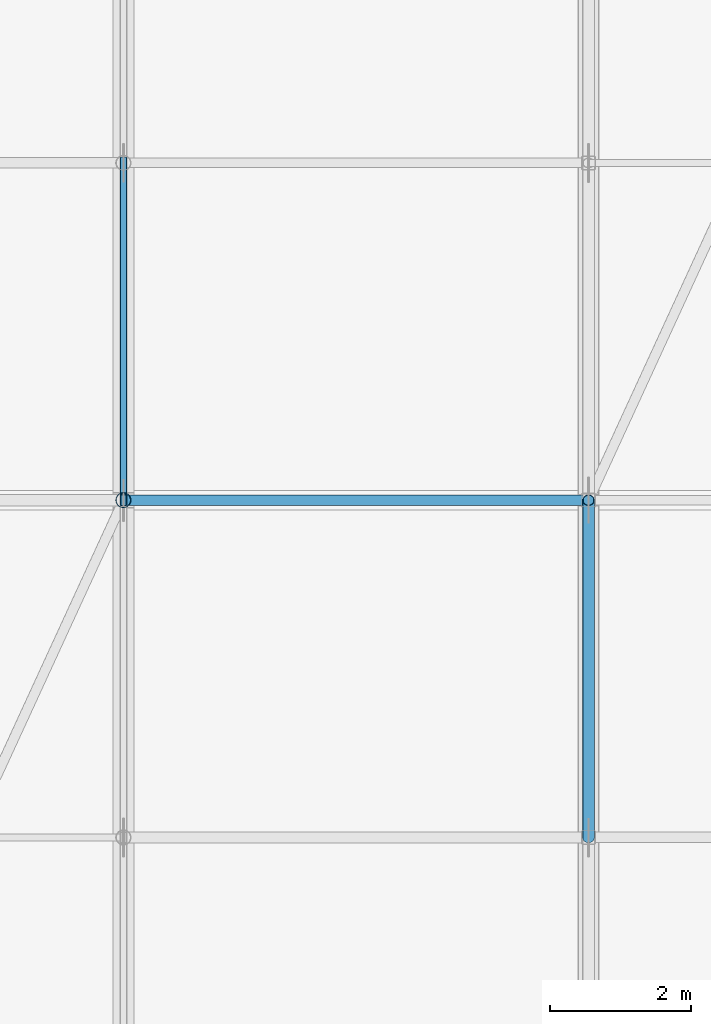
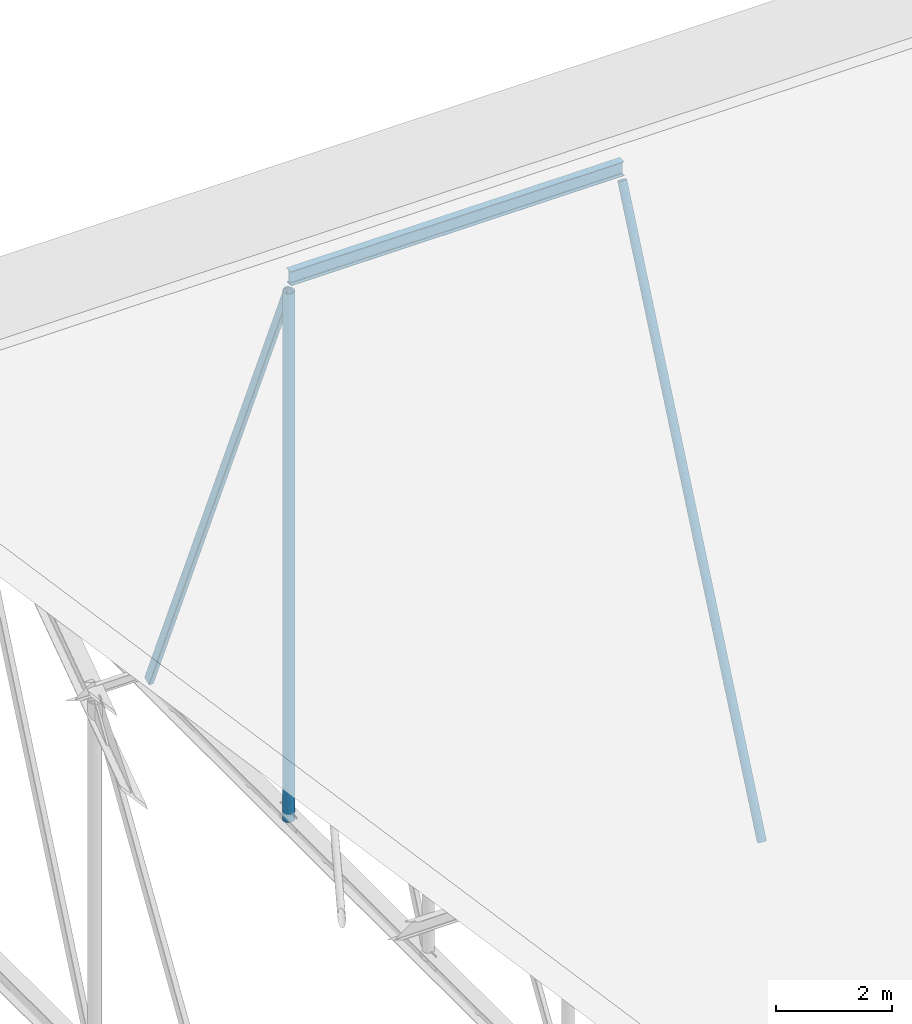
# One storey, part 75 of 134: 4 members.
"""IFC4 building model written with IfcOpenShell, lengths in metres."""

from ifc_helpers import new_model, si_unit, direction, frame, origin, origin_2d, place, context, subcontext, project, spatial, hollow_rectangle, hollow_circle, i_section, extrude, material, material_profile, profile_set, type_object, element, save


model = new_model("IFC4")

# Units and contexts
model_context = context("Model", 3, precision=1e-05, world=origin(), true_north=direction((0.0, 1.0)))
body_context = subcontext(model_context, "Body", "Model", "MODEL_VIEW")
ifc_project = project(units=[si_unit("LENGTHUNIT", "METRE"), si_unit("AREAUNIT", "SQUARE_METRE"), si_unit("VOLUMEUNIT", "CUBIC_METRE"), si_unit("PLANEANGLEUNIT", "RADIAN"), si_unit("MASSUNIT", "GRAM", prefix="KILO")], contexts=[model_context])

# Site, building, storey
site_placement = place(None, origin())
site = spatial("IfcSite", under=ifc_project, at=site_placement, CompositionType="ELEMENT")
building_placement = place(site_placement, origin())
building = spatial("IfcBuilding", under=site, at=building_placement, Name="Asteropetra Specialist Clinic", CompositionType="ELEMENT")
storey_placement = place(building_placement, frame((0.0, 0.0, 8.5)))
storey = spatial("IfcBuildingStorey", under=building, at=storey_placement, Name="L02", CompositionType="ELEMENT", Elevation=8.5)

# Members
ifc_material_1 = material(Name="Steel S355", Category="steel")
ifc_material_profile_1 = material_profile(ifc_material_1, hollow_circle(Radius=0.084228515625, WallThickness=0.008056640625, at=origin_2d()), Name="CHS 168.3x8.0")
ifc_profile_set_1 = profile_set([ifc_material_profile_1], Name="Steel S355")
member_type_1 = type_object("IfcMemberType", Name="TR-BRC-CHS168", PredefinedType="BRACE", material=ifc_profile_set_1)
member_1_placement = place(storey_placement, frame((139.860107421875, 86.39990234375, 0.4951171875), z_axis=(0.0, 0.400994294125, 0.916080551087), x_axis=(-1.0, 0.0, 0.0)))
element("IfcMember", 1, at=member_1_placement, inside=storey, type_object=member_type_1, Name="Truss Web Diagonal TRV1-D09-2", PredefinedType="BRACE", context=body_context, shape_type="SweptSolid", body=[
    extrude(hollow_circle(Radius=0.084228515625, WallThickness=0.008056640625, at=origin_2d()), origin(), (0.0, 0.0, 1.0), 11.970458984375),
])
ifc_material_2 = material(Name="Steel S355", Category="steel")
ifc_material_profile_2 = material_profile(ifc_material_2, hollow_rectangle(XDim=0.10009765625, YDim=0.179931640625, WallThickness=0.008056640625, InnerFilletRadius=0.008056640625, OuterFilletRadius=0.01611328125, at=origin_2d()), Name="RHS 180x100x8.0")
ifc_profile_set_2 = profile_set([ifc_material_profile_2], Name="Steel S355")
member_type_2 = type_object("IfcMemberType", Name="TR-BRC-RHS180", PredefinedType="BRACE", material=ifc_profile_set_2)
member_2_placement = place(storey_placement, frame((133.239990234375, 91.199951171875, 11.4609375), z_axis=(0.0, 0.397191262273, -0.917735855883), x_axis=(-1.0, 0.0, 0.0)))
element("IfcMember", 2, at=member_2_placement, inside=storey, type_object=member_type_2, Name="Truss Web Diagonal TRV1-D08-3", PredefinedType="BRACE", context=body_context, shape_type="SweptSolid", body=[
    extrude(hollow_rectangle(XDim=0.10009765625, YDim=0.179931640625, WallThickness=0.008056640625, InnerFilletRadius=0.008056640625, OuterFilletRadius=0.01611328125, at=origin_2d()), origin(), (0.0, 0.0, 1.0), 12.0849609375),
])
ifc_material_3 = material(Name="Steel S355", Category="steel")
ifc_material_profile_3 = material_profile(ifc_material_3, i_section(OverallWidth=0.14990234375, OverallDepth=0.300048828125, WebThickness=0.007080078125, FlangeThickness=0.0107421875, FilletRadius=0.014892578125, at=origin_2d()), Name="IPE 300")
ifc_profile_set_3 = profile_set([ifc_material_profile_3], Name="Steel S355")
member_type_3 = type_object("IfcMemberType", Name="TR-PUR-IPE300", PredefinedType="PURLIN", material=ifc_profile_set_3)
member_3_placement = place(storey_placement, frame((133.239990234375, 91.199951171875, 11.745849609375), z_axis=(1.0, 0.0, 0.0), x_axis=(0.0, 1.0, 0.0)))
element("IfcMember", 3, at=member_3_placement, inside=storey, type_object=member_type_3, Name="Roof Purlin TRV1-P08-05", PredefinedType="PURLIN", context=body_context, shape_type="SweptSolid", body=[
    extrude(i_section(OverallWidth=0.14990234375, OverallDepth=0.300048828125, WebThickness=0.007080078125, FlangeThickness=0.0107421875, FilletRadius=0.014892578125, at=origin_2d()), origin(), (0.0, 0.0, 1.0), 6.6201171875),
])
ifc_material_4 = material(Name="Steel S355", Category="steel")
ifc_material_profile_4 = material_profile(ifc_material_4, hollow_circle(Radius=0.109619140625, WallThickness=0.010009765625, at=origin_2d()), Name="CHS 219.1x10.0")
ifc_profile_set_4 = profile_set([ifc_material_profile_4], Name="Steel S355")
member_type_4 = type_object("IfcMemberType", Name="TR-STR-CHS219", PredefinedType="STRUT", material=ifc_profile_set_4)
member_4_placement = place(storey_placement, frame((133.239990234375, 91.199951171875, 0.3701171875), z_axis=(0.0, 0.0, 1.0), x_axis=(1.0, 0.0, 0.0)))
element("IfcMember", 4, at=member_4_placement, inside=storey, type_object=member_type_4, Name="Truss Web Strut TRV1-V08-3", PredefinedType="STRUT", context=body_context, shape_type="SweptSolid", body=[
    extrude(hollow_circle(Radius=0.109619140625, WallThickness=0.010009765625, at=origin_2d()), origin(), (0.0, 0.0, 1.0), 11.0908203125),
])

save(model, "model.ifc")
